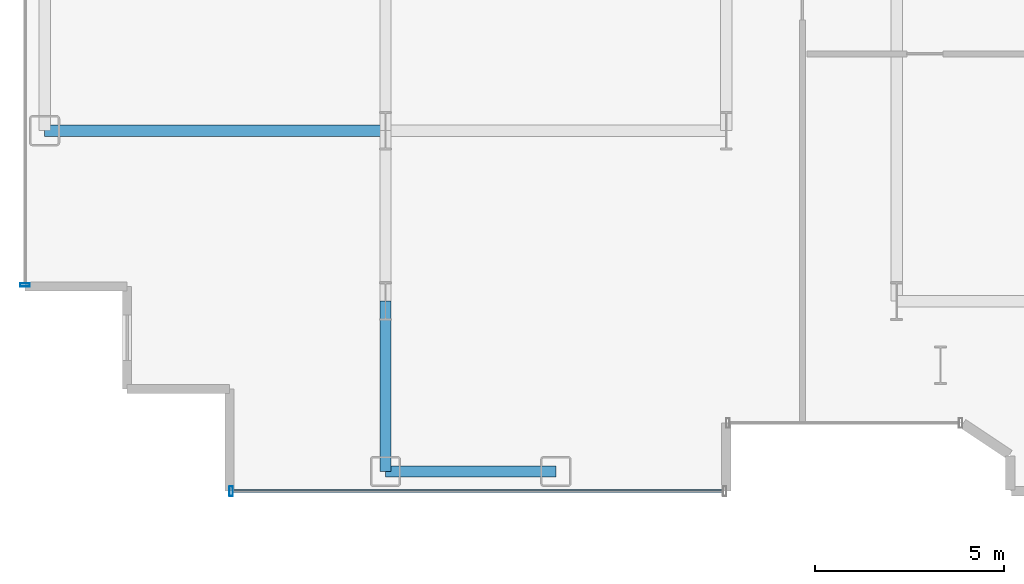
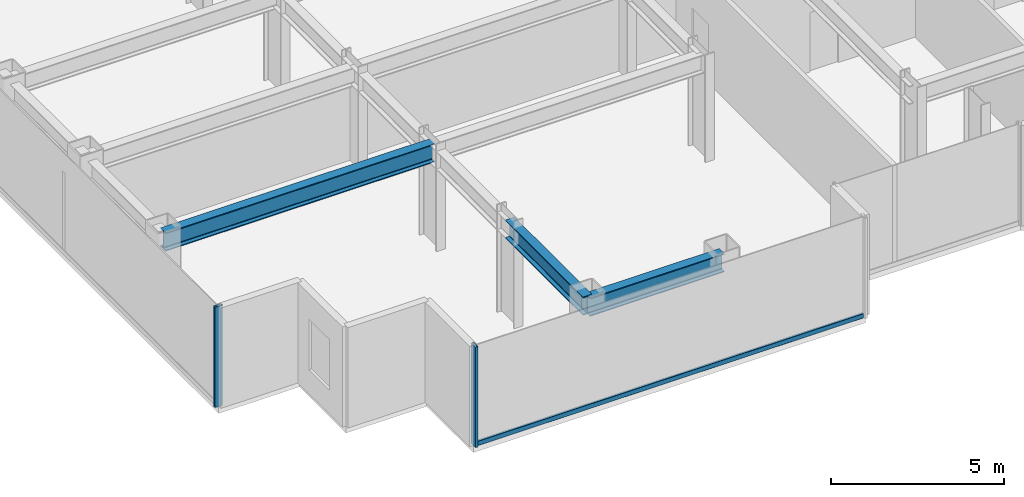
# One storey, part 2 of 26: 3 beams, 3 members, 2 elements without a shape of their own.
"""IFC4 building model written with IfcOpenShell, lengths in metres."""

from ifc_helpers import new_model, si_unit, direction, frame, origin, origin_2d, place, context, subcontext, project, spatial, hollow_rectangle, i_section, extrude, source, transform, mapped, material, layer, layer_set, material_profile, profile_set, type_object, element, aggregate, save


model = new_model("IFC4")

# Units and contexts
model_context = context("Model", 3, precision=1e-05, world=origin(), true_north=direction((0.0, 1.0)))
body_context = subcontext(model_context, "Body", "Model", "MODEL_VIEW")
ifc_project = project(units=[si_unit("LENGTHUNIT", "METRE"), si_unit("AREAUNIT", "SQUARE_METRE"), si_unit("VOLUMEUNIT", "CUBIC_METRE"), si_unit("PLANEANGLEUNIT", "RADIAN"), si_unit("MASSUNIT", "GRAM", prefix="KILO")], contexts=[model_context])

# Site, building, storey
site_placement = place(None, origin())
site = spatial("IfcSite", under=ifc_project, at=site_placement, CompositionType="ELEMENT")
building_placement = place(site_placement, origin())
building = spatial("IfcBuilding", under=site, at=building_placement, Name="Nefas-Gora Pilgrimage Tower", CompositionType="ELEMENT")
storey_placement = place(building_placement, frame((0.0, 0.0, 132.60009765625)))
storey = spatial("IfcBuildingStorey", under=building, at=storey_placement, Name="L32", CompositionType="ELEMENT", Elevation=132.60009765625)

# Beams
ifc_material_1 = material(Name="Steel S355", Category="steel")
ifc_material_profile_1 = material_profile(ifc_material_1, i_section(OverallWidth=0.300048828125, OverallDepth=0.64990234375, WebThickness=0.01611328125, FlangeThickness=0.031005859375, FilletRadius=0.027099609375, at=origin_2d()), Name="HEB 650")
ifc_profile_set_1 = profile_set([ifc_material_profile_1], Name="Steel S355")
beam_type_1 = type_object("IfcBeamType", Name="BM-SPN-HEB500", PredefinedType="SPANDREL", material=ifc_profile_set_1)
shared_shape_1 = source(origin(), body_context, "Body", "SweptSolid", [
    extrude(i_section(OverallWidth=0.300048828125, OverallDepth=0.64990234375, WebThickness=0.01611328125, FlangeThickness=0.031005859375, FilletRadius=0.027099609375, at=origin_2d()), origin(), (0.0, 0.0, 1.0), 4.5),
])
beam_1_placement = place(storey_placement, frame((-24.75, -22.5, 3.224853515625), z_axis=(1.0, 0.0, 0.0), x_axis=(0.0, 1.0, 0.0)))
element("IfcBeam", 1, at=beam_1_placement, inside=storey, type_object=beam_type_1, Name="L32 SP-02 beam", PredefinedType="SPANDREL", context=body_context, shape_type="MappedRepresentation", body=[
    mapped(shared_shape_1, transform((0.0, 0.0, 0.0), x_axis=(1.0, 0.0, 0.0), y_axis=(0.0, 1.0, 0.0), z_axis=(0.0, 0.0, 1.0), scale=1.0)),
])
ifc_material_profile_2 = material_profile(ifc_material_1, i_section(OverallWidth=0.300048828125, OverallDepth=0.64990234375, WebThickness=0.01611328125, FlangeThickness=0.031005859375, FilletRadius=0.027099609375, at=origin_2d()), Name="HEB 650")
ifc_profile_set_2 = profile_set([ifc_material_profile_2], Name="Steel S355")
beam_type_2 = type_object("IfcBeamType", Name="BM-GIR-HEB650", PredefinedType="BEAM", material=ifc_profile_set_2)
shared_shape_2 = source(origin(), body_context, "Body", "SweptSolid", [
    extrude(i_section(OverallWidth=0.300048828125, OverallDepth=0.64990234375, WebThickness=0.01611328125, FlangeThickness=0.031005859375, FilletRadius=0.027099609375, at=origin_2d()), origin(), (0.0, 0.0, 1.0), 9.0),
])
beam_2_placement = place(storey_placement, frame((-33.75, -13.5, 3.224853515625), z_axis=(1.0, 0.0, 0.0), x_axis=(0.0, 1.0, 0.0)))
element("IfcBeam", 2, at=beam_2_placement, inside=storey, type_object=beam_type_2, Name="L32 G-03 beam", PredefinedType="BEAM", context=body_context, shape_type="MappedRepresentation", body=[
    mapped(shared_shape_2, transform((0.0, 0.0, 0.0), x_axis=(1.0, 0.0, 0.0), y_axis=(0.0, 1.0, 0.0), z_axis=(0.0, 0.0, 1.0), scale=1.0)),
])
shared_shape_3 = source(origin(), body_context, "Body", "SweptSolid", [
    extrude(i_section(OverallWidth=0.300048828125, OverallDepth=0.64990234375, WebThickness=0.01611328125, FlangeThickness=0.031005859375, FilletRadius=0.027099609375, at=origin_2d()), origin(), (0.0, 0.0, 1.0), 4.5),
])
beam_3_placement = place(storey_placement, frame((-24.75, -22.5, 3.224853515625), z_axis=(0.0, 1.0, 0.0), x_axis=(-1.0, 0.0, 0.0)))
element("IfcBeam", 3, at=beam_3_placement, inside=storey, type_object=beam_type_2, Name="L32 G-03 beam", PredefinedType="BEAM", context=body_context, shape_type="MappedRepresentation", body=[
    mapped(shared_shape_3, transform((0.0, 0.0, 0.0), x_axis=(1.0, 0.0, 0.0), y_axis=(0.0, 1.0, 0.0), z_axis=(0.0, 0.0, 1.0), scale=1.0)),
])

# Curtain wall, member
ifc_material_2 = material(Name="Dark ceramic-fritted solar-control aluminium-glass curtain wall", Category="aluminium")
ifc_layer = layer(ifc_material_2, 0.219970703125)
ifc_layer_set = layer_set([ifc_layer], Name="Dark ceramic-fritted solar-control aluminium-glass curtain wall")
curtain_wall_type = type_object("IfcCurtainWallType", Name="CW-SYS-2", PredefinedType="NOTDEFINED", material=ifc_layer_set)
curtain_wall_1_placement = place(storey_placement, origin())
curtain_wall_1 = element("IfcCurtainWall", 4, at=curtain_wall_1_placement, inside=storey, type_object=curtain_wall_type, Name="L32 Unitised Curtain Wall CW2", PredefinedType="NOTDEFINED")
ifc_material_3 = material(Name="Anodised architectural aluminium", Category="aluminium")
ifc_material_profile_3 = material_profile(ifc_material_3, hollow_rectangle(XDim=0.080078125, YDim=0.159912109375, WallThickness=0.00439453125, InnerFilletRadius=0.00439453125, OuterFilletRadius=0.009033203125, at=origin_2d()), Name="ALU TRANSOM 80x160")
ifc_profile_set_3 = profile_set([ifc_material_profile_3], Name="Anodised architectural aluminium")
member_type_1 = type_object("IfcMemberType", Name="CWM-TRN-2", PredefinedType="USERDEFINED", material=ifc_profile_set_3)
shared_shape_4 = source(origin(), body_context, "Body", "SweptSolid", [
    extrude(hollow_rectangle(XDim=0.080078125, YDim=0.159912109375, WallThickness=0.00439453125, InnerFilletRadius=0.00439453125, OuterFilletRadius=0.009033203125, at=origin_2d()), origin(), (0.0, 0.0, 1.0), 12.93994140625),
])
member_1_placement = place(storey_placement, frame((-28.780029296875, -23.02001953125, 0.0498046875), z_axis=(1.0, 0.0, 0.0), x_axis=(0.0, 1.0, 0.0)))
member_1 = element("IfcMember", 5, at=member_1_placement, type_object=member_type_1, Name="CW2 Spandrel Transom", ObjectType="TRANSOM", PredefinedType="USERDEFINED", context=body_context, shape_type="MappedRepresentation", body=[
    mapped(shared_shape_4, transform((0.0, 0.0, 0.0), x_axis=(1.0, 0.0, 0.0), y_axis=(0.0, 1.0, 0.0), z_axis=(0.0, 0.0, 1.0), scale=1.0)),
])

curtain_wall_2_placement = place(storey_placement, origin())
curtain_wall_2 = element("IfcCurtainWall", 6, at=curtain_wall_2_placement, inside=storey, type_object=curtain_wall_type, Name="L32 Unitised Curtain Wall CW2", PredefinedType="NOTDEFINED")
ifc_material_profile_4 = material_profile(ifc_material_3, hollow_rectangle(XDim=0.090087890625, YDim=0.260009765625, WallThickness=0.006103515625, InnerFilletRadius=0.006103515625, OuterFilletRadius=0.011962890625, at=origin_2d()), Name="ALU MULLION 90x260")
ifc_profile_set_4 = profile_set([ifc_material_profile_4], Name="Anodised architectural aluminium")
member_type_2 = type_object("IfcMemberType", Name="CWM-MUL-2", PredefinedType="MULLION", material=ifc_profile_set_4)
shared_shape_5 = source(origin(), body_context, "Body", "SweptSolid", [
    extrude(hollow_rectangle(XDim=0.090087890625, YDim=0.260009765625, WallThickness=0.006103515625, InnerFilletRadius=0.006103515625, OuterFilletRadius=0.011962890625, at=origin_2d()), origin(), (0.0, 0.0, 1.0), 3.5498046875),
])
member_2_placement = place(storey_placement, frame((-34.27001953125, -17.574951171875, 0.0), z_axis=(0.0, 0.0, 1.0), x_axis=(0.0, -1.0, 0.0)))
member_2 = element("IfcMember", 7, at=member_2_placement, type_object=member_type_2, Name="CW2 Mullion 2", PredefinedType="MULLION", context=body_context, shape_type="MappedRepresentation", body=[
    mapped(shared_shape_5, transform((0.0, 0.0, 0.0), x_axis=(1.0, 0.0, 0.0), y_axis=(0.0, 1.0, 0.0), z_axis=(0.0, 0.0, 1.0), scale=1.0)),
])
aggregate(curtain_wall_2, [member_2])

# Member
member_3_placement = place(storey_placement, frame((-28.824951171875, -23.02001953125, 0.0), z_axis=(0.0, 0.0, 1.0), x_axis=(1.0, 0.0, 0.0)))
member_3 = element("IfcMember", 8, at=member_3_placement, type_object=member_type_2, Name="CW2 Mullion 1", PredefinedType="MULLION", context=body_context, shape_type="MappedRepresentation", body=[
    mapped(shared_shape_5, transform((0.0, 0.0, 0.0), x_axis=(1.0, 0.0, 0.0), y_axis=(0.0, 1.0, 0.0), z_axis=(0.0, 0.0, 1.0), scale=1.0)),
])

aggregate(curtain_wall_1, [member_3, member_1])

save(model, "model.ifc")
